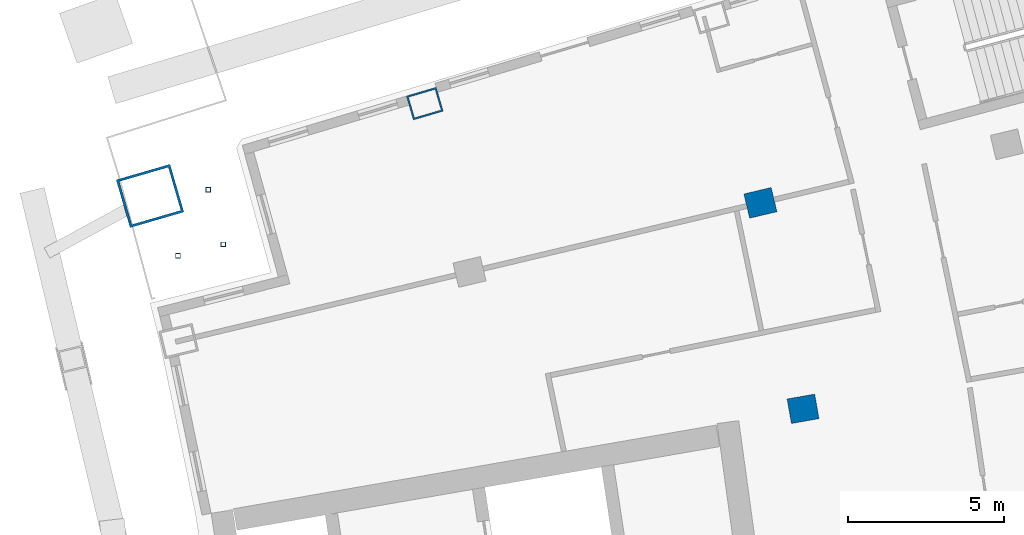
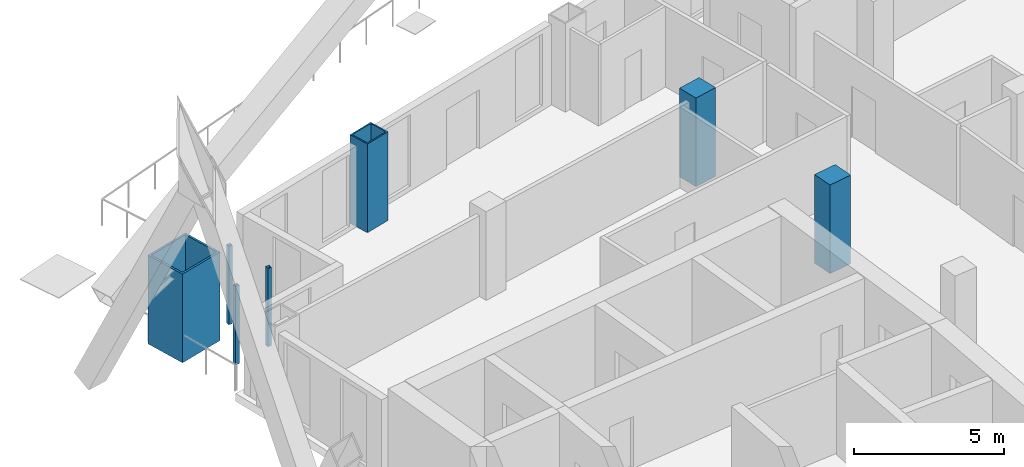
# One storey, part 6 of 20: 7 columns.
"""IFC4 building model written with IfcOpenShell, lengths in metres."""

from ifc_helpers import new_model, si_unit, direction, frame, origin, origin_2d, place, context, subcontext, project, spatial, rectangle, hollow_rectangle, extrude, material, material_profile, profile_set, type_object, element, save


model = new_model("IFC4")

# Units and contexts
model_context = context("Model", 3, precision=1e-05, world=origin(), true_north=direction((0.0, 1.0)))
body_context = subcontext(model_context, "Body", "Model", "MODEL_VIEW")
ifc_project = project(units=[si_unit("LENGTHUNIT", "METRE"), si_unit("AREAUNIT", "SQUARE_METRE"), si_unit("VOLUMEUNIT", "CUBIC_METRE"), si_unit("PLANEANGLEUNIT", "RADIAN"), si_unit("MASSUNIT", "GRAM", prefix="KILO")], contexts=[model_context])

# Site, building, storey
site_placement = place(None, origin())
site = spatial("IfcSite", under=ifc_project, at=site_placement, CompositionType="ELEMENT")
building_placement = place(site_placement, origin())
building = spatial("IfcBuilding", under=site, at=building_placement, Name="Alderwake Tower", CompositionType="ELEMENT")
storey_placement = place(building_placement, frame((0.0, 0.0, 138.800048828125)))
storey = spatial("IfcBuildingStorey", under=building, at=storey_placement, Name="L33", CompositionType="ELEMENT", Elevation=138.800048828125)

# Columns
ifc_material_1 = material(Name="Steel ASTM A572 Grade 50 concrete filled C70/85", Category="concrete")
ifc_material_profile_1 = material_profile(ifc_material_1, hollow_rectangle(XDim=0.800048828125, YDim=1.0, WallThickness=0.054931640625, at=origin_2d()), Name="BOX 1000X800X55")
ifc_profile_set_1 = profile_set([ifc_material_profile_1], Name="Steel ASTM A572 Grade 50 concrete filled C70/85")
column_type_1 = type_object("IfcColumnType", Name="End column Z3", PredefinedType="COLUMN", material=ifc_profile_set_1)
column_1_placement = place(storey_placement, frame((21.885498046875, 90.96240234375, 0.0), z_axis=(0.0, 0.0, 1.0), x_axis=(-0.282132160283, 0.95937554906, 0.0)))
element("IfcColumn", 1, at=column_1_placement, inside=storey, type_object=column_type_1, Name="Column R12-C1", PredefinedType="COLUMN", context=body_context, shape_type="SweptSolid", body=[
    extrude(hollow_rectangle(XDim=0.800048828125, YDim=1.0, WallThickness=0.054931640625, at=origin_2d()), origin(), (0.0, 0.0, 1.0), 3.599853515625),
])
ifc_material_2 = material(Name="Concrete C70/85", Category="concrete")
ifc_material_profile_2 = material_profile(ifc_material_2, rectangle(XDim=0.800048828125, YDim=0.89990234375, at=origin_2d()), Name="RC 900X800")
ifc_profile_set_2 = profile_set([ifc_material_profile_2], Name="Concrete C70/85")
column_type_2 = type_object("IfcColumnType", Name="Interior column Z3", PredefinedType="COLUMN", material=ifc_profile_set_2)
for number, where, z_axis, x_axis, name in (
    (2, (34.03125, 81.16162109375, 0.0), (0.0, 0.0, 1.0), (-0.174108800747, 0.984726421654, 0.0), "Column R10-C2"),
    (3, (32.661865234375, 87.775390625, 0.0), (0.0, 0.0, 1.0), (-0.231221547198, 0.972901123502, 0.0), "Column R11-C2"),
):
    element("IfcColumn", number, at=place(storey_placement, frame(where, z_axis=z_axis, x_axis=x_axis)), inside=storey, type_object=column_type_2, Name=name, PredefinedType="COLUMN", context=body_context, shape_type="SweptSolid", body=[
        extrude(rectangle(XDim=0.800048828125, YDim=0.89990234375, at=origin_2d()), origin(), (0.0, 0.0, 1.0), 3.599853515625),
    ])
ifc_material_3 = material(Name="Steel ASTM A500 Grade C", Category="steel")
ifc_material_profile_3 = material_profile(ifc_material_3, hollow_rectangle(XDim=0.15234375, YDim=0.15234375, WallThickness=0.0087890625, at=origin_2d()), Name="HSS6X6X3/8")
ifc_profile_set_3 = profile_set([ifc_material_profile_3], Name="Steel ASTM A500 Grade C")
column_type_3 = type_object("IfcColumnType", Name="Light post HSS6X6X3/8", PredefinedType="COLUMN", material=ifc_profile_set_3)
for number, where, z_axis, x_axis, name in (
    (4, (13.962158203125, 86.073486328125, 0.0), (0.0, 0.0, 1.0), (1.0, 0.0, 0.0), "Terrace post RN1"),
    (5, (14.93115234375, 88.196044921875, 0.0), (0.0, 0.0, 1.0), (1.0, 0.0, 0.0), "Terrace post RN2"),
    (6, (15.41650390625, 86.441650390625, 0.0), (0.0, 0.0, 1.0), (1.0, 0.0, 0.0), "Terrace post RN3"),
):
    element("IfcColumn", number, at=place(storey_placement, frame(where, z_axis=z_axis, x_axis=x_axis)), inside=storey, type_object=column_type_3, Name=name, PredefinedType="COLUMN", context=body_context, shape_type="SweptSolid", body=[
        extrude(hollow_rectangle(XDim=0.15234375, YDim=0.15234375, WallThickness=0.0087890625, at=origin_2d()), origin(), (0.0, 0.0, 1.0), 3.179931640625),
    ])
ifc_material_4 = material(Name="Steel ASTM A572 Grade 50 concrete filled C70/85", Category="concrete")
ifc_material_profile_4 = material_profile(ifc_material_4, hollow_rectangle(XDim=1.60009765625, YDim=1.800048828125, WallThickness=0.080078125, at=origin_2d()), Name="BOX 1800X1600X80")
ifc_profile_set_4 = profile_set([ifc_material_profile_4], Name="Steel ASTM A572 Grade 50 concrete filled C70/85")
column_type_4 = type_object("IfcColumnType", Name="Mega column Z3", PredefinedType="COLUMN", material=ifc_profile_set_4)
column_2_placement = place(storey_placement, frame((13.06298828125, 87.99755859375, 0.0), z_axis=(0.0, 0.0, 1.0), x_axis=(-0.278612301868, 0.960403657452, 0.0)))
element("IfcColumn", 7, at=column_2_placement, inside=storey, type_object=column_type_4, Name="Column R12-C0", PredefinedType="COLUMN", context=body_context, shape_type="SweptSolid", body=[
    extrude(hollow_rectangle(XDim=1.60009765625, YDim=1.800048828125, WallThickness=0.080078125, at=origin_2d()), origin(), (0.0, 0.0, 1.0), 3.599853515625),
])

save(model, "model.ifc")
